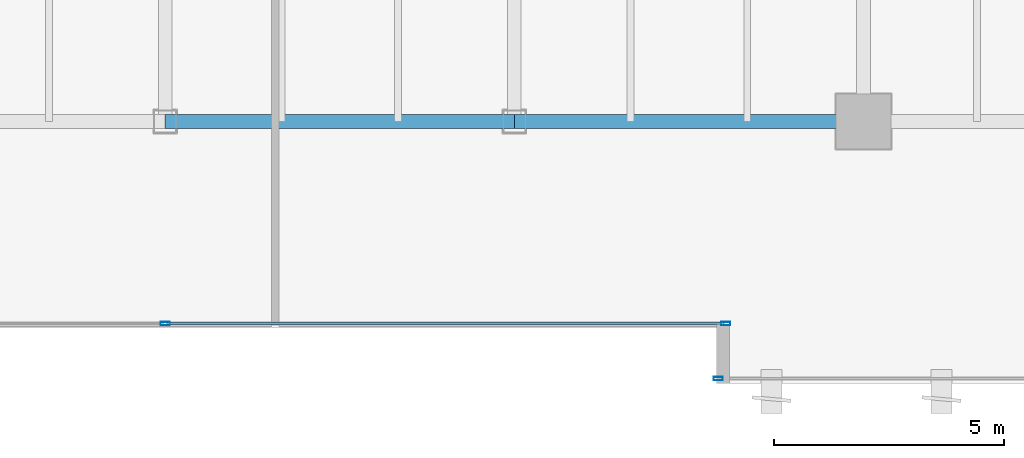
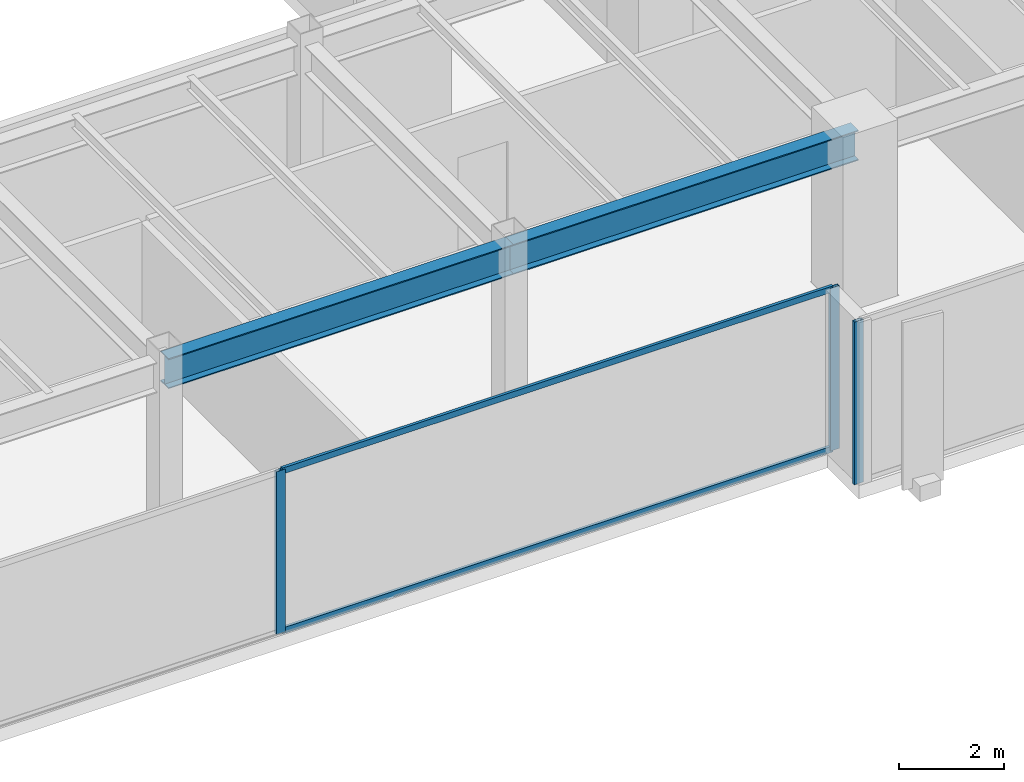
# One storey, part 10 of 34: 5 members, 2 beams, 2 elements without a shape of their own.
"""IFC4 building model written with IfcOpenShell, lengths in metres."""

from ifc_helpers import new_model, si_unit, direction, frame, origin, origin_2d, place, context, subcontext, project, spatial, hollow_rectangle, i_section, extrude, source, transform, mapped, material, layer, layer_set, material_profile, profile_set, type_object, type_shapes, element, aggregate, save


model = new_model("IFC4")

# Units and contexts
model_context = context("Model", 3, precision=1e-05, world=origin(), true_north=direction((0.0, 1.0)))
body_context = subcontext(model_context, "Body", "Model", "MODEL_VIEW")
ifc_project = project(units=[si_unit("LENGTHUNIT", "METRE"), si_unit("AREAUNIT", "SQUARE_METRE"), si_unit("VOLUMEUNIT", "CUBIC_METRE"), si_unit("PLANEANGLEUNIT", "RADIAN"), si_unit("MASSUNIT", "GRAM", prefix="KILO")], contexts=[model_context])

# Site, building, storey
site_placement = place(None, origin())
site = spatial("IfcSite", under=ifc_project, at=site_placement, CompositionType="ELEMENT")
building_placement = place(site_placement, origin())
building = spatial("IfcBuilding", under=site, at=building_placement, Name="Haelvirn Gate Laboratories", CompositionType="ELEMENT")
storey_placement = place(building_placement, frame((0.0, 0.0, 109.199951171875)))
storey = spatial("IfcBuildingStorey", under=building, at=storey_placement, Name="L26", CompositionType="ELEMENT", Elevation=109.199951171875)

# Beams
ifc_material_1 = material(Name="Steel SM355", Category="steel")
ifc_material_profile_1 = material_profile(ifc_material_1, i_section(OverallWidth=0.300048828125, OverallDepth=0.699951171875, WebThickness=0.012939453125, FlangeThickness=0.02392578125, at=origin_2d()), Name="H-700x300x13x24")
ifc_profile_set_1 = profile_set([ifc_material_profile_1], Name="Steel SM355")
beam_type = type_object("IfcBeamType", Name="BM-G-700", PredefinedType="BEAM", material=ifc_profile_set_1)
shared_shape_1 = source(origin(), body_context, "Body", "SweptSolid", [
    extrude(i_section(OverallWidth=0.300048828125, OverallDepth=0.699951171875, WebThickness=0.012939453125, FlangeThickness=0.02392578125, at=origin_2d()), origin(), (0.0, 0.0, 1.0), 7.60009765625),
])
type_shapes(beam_type, [shared_shape_1])
for number, where, z_axis, x_axis, name in (
    (1, (37.39990234375, 7.0, 3.43994140625), (1.0, 0.0, 0.0), (0.0, 1.0, 0.0), "L26 Primary Girder Y7.0 (37.4-45.0)"),
    (2, (45.0, 7.0, 3.43994140625), (1.0, 0.0, 0.0), (0.0, 1.0, 0.0), "L26 Primary Girder Y7.0 (45.0-52.6)"),
):
    element("IfcBeam", number, at=place(storey_placement, frame(where, z_axis=z_axis, x_axis=x_axis)), inside=storey, type_object=beam_type, Name=name, PredefinedType="BEAM", context=body_context, shape_type="MappedRepresentation", body=[
        mapped(shared_shape_1, transform((0.0, 0.0, 0.0), scale=1.0)),
    ])

# Curtain wall, members
ifc_material_2 = material(Name="Anodised bronze unitised aluminium & triple low-E glass", Category="aluminium")
ifc_layer = layer(ifc_material_2, 0.179931640625, Name="CW-SYS-3")
ifc_layer_set = layer_set([ifc_layer], Name="Anodised bronze unitised aluminium & triple low-E glass")
curtain_wall_type = type_object("IfcCurtainWallType", Name="CW-SYS-3", PredefinedType="NOTDEFINED", material=ifc_layer_set)
curtain_wall_1_placement = place(storey_placement, origin())
curtain_wall_1 = element("IfcCurtainWall", 3, at=curtain_wall_1_placement, inside=storey, type_object=curtain_wall_type, Name="L26 Unitised Curtain Wall CW-L26-P0-E02-1", PredefinedType="NOTDEFINED")
ifc_material_3 = material(Name="Extruded aluminium 6063-T6 (anodised bronze)", Category="aluminium")
ifc_material_profile_2 = material_profile(ifc_material_3, hollow_rectangle(XDim=0.06494140625, YDim=0.139892578125, WallThickness=0.00390625, at=origin_2d()), Name="CWT-140x65x4")
ifc_profile_set_2 = profile_set([ifc_material_profile_2], Name="Extruded aluminium 6063-T6 (anodised bronze)")
member_type_1 = type_object("IfcMemberType", Name="CWT-T140", PredefinedType="USERDEFINED", material=ifc_profile_set_2)
shared_shape_2 = source(origin(), body_context, "Body", "SweptSolid", [
    extrude(hollow_rectangle(XDim=0.06494140625, YDim=0.139892578125, WallThickness=0.00390625, at=origin_2d()), origin(), (0.0, 0.0, 1.0), 12.12744140625),
])
type_shapes(member_type_1, [shared_shape_2])
member_1_placement = place(storey_placement, frame((37.4375, 2.60009765625, 0.032470703125), z_axis=(1.0, 0.0, 0.0), x_axis=(0.0, 1.0, 0.0)))
member_1 = element("IfcMember", 4, at=member_1_placement, type_object=member_type_1, Name="CW3 transom 2.1", ObjectType="TRANSOM", PredefinedType="USERDEFINED", context=body_context, shape_type="MappedRepresentation", body=[
    mapped(shared_shape_2, transform((0.0, 0.0, 0.0), scale=1.0)),
])
member_2_placement = place(storey_placement, frame((37.4375, 2.60009765625, 3.757568359375), z_axis=(1.0, 0.0, 0.0), x_axis=(0.0, 1.0, 0.0)))
member_2 = element("IfcMember", 5, at=member_2_placement, type_object=member_type_1, Name="CW3 transom 2.2", ObjectType="TRANSOM", PredefinedType="USERDEFINED", context=body_context, shape_type="MappedRepresentation", body=[
    mapped(shared_shape_2, transform((0.0, 0.0, 0.0), scale=1.0)),
])
ifc_material_profile_3 = material_profile(ifc_material_3, hollow_rectangle(XDim=0.074951171875, YDim=0.199951171875, WallThickness=0.0048828125, at=origin_2d()), Name="CWM-200x75x5")
ifc_profile_set_3 = profile_set([ifc_material_profile_3], Name="Extruded aluminium 6063-T6 (anodised bronze)")
member_type_2 = type_object("IfcMemberType", Name="CWM-T200", PredefinedType="MULLION", material=ifc_profile_set_3)
shared_shape_3 = source(origin(), body_context, "Body", "SweptSolid", [
    extrude(hollow_rectangle(XDim=0.074951171875, YDim=0.199951171875, WallThickness=0.0048828125, at=origin_2d()), origin(), (0.0, 0.0, 1.0), 3.7900390625),
])
type_shapes(member_type_2, [shared_shape_3])
member_3_placement = place(storey_placement, frame((37.39990234375, 2.60009765625, 0.0), z_axis=(0.0, 0.0, 1.0), x_axis=(0.0, 1.0, 0.0)))
member_3 = element("IfcMember", 6, at=member_3_placement, type_object=member_type_2, Name="CW3 mullion 2", PredefinedType="MULLION", context=body_context, shape_type="MappedRepresentation", body=[
    mapped(shared_shape_3, transform((0.0, 0.0, 0.0), scale=1.0)),
])
member_4_placement = place(storey_placement, frame((49.6025390625, 2.60009765625, 0.0), z_axis=(0.0, 0.0, 1.0), x_axis=(0.0, 1.0, 0.0)))
member_4 = element("IfcMember", 7, at=member_4_placement, type_object=member_type_2, Name="CW3 mullion 3", PredefinedType="MULLION", context=body_context, shape_type="MappedRepresentation", body=[
    mapped(shared_shape_3, transform((0.0, 0.0, 0.0), scale=1.0)),
])
aggregate(curtain_wall_1, [member_3, member_4, member_1, member_2])

# Curtain wall, member
curtain_wall_2_placement = place(storey_placement, origin())
curtain_wall_2 = element("IfcCurtainWall", 8, at=curtain_wall_2_placement, inside=storey, type_object=curtain_wall_type, Name="L26 Unitised Curtain Wall CW-L26-P0-E04-1", PredefinedType="NOTDEFINED")
member_5_placement = place(storey_placement, frame((49.4375, 1.39990234375, 0.0), z_axis=(0.0, 0.0, 1.0), x_axis=(0.0, 1.0, 0.0)))
member_5 = element("IfcMember", 9, at=member_5_placement, type_object=member_type_2, Name="CW3 mullion 1", PredefinedType="MULLION", context=body_context, shape_type="MappedRepresentation", body=[
    mapped(shared_shape_3, transform((0.0, 0.0, 0.0), scale=1.0)),
])
aggregate(curtain_wall_2, [member_5])

save(model, "model.ifc")
